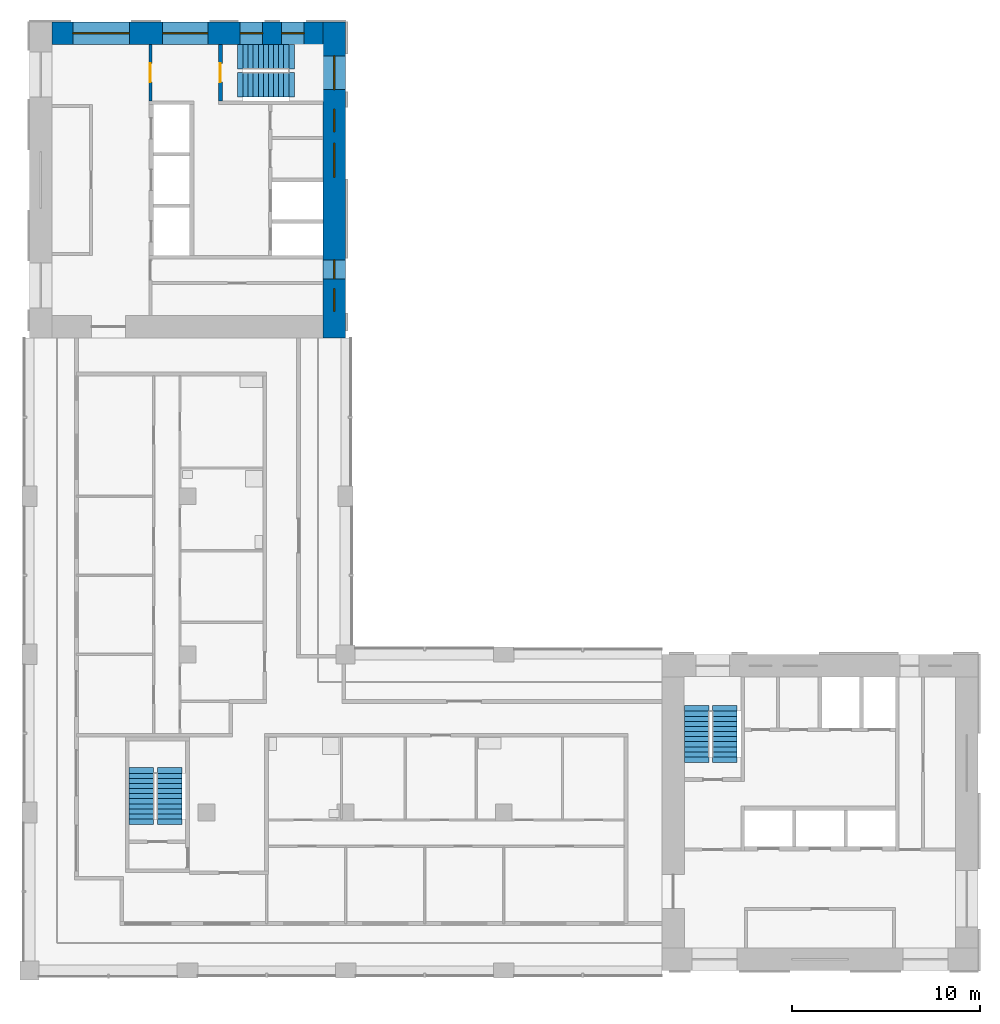
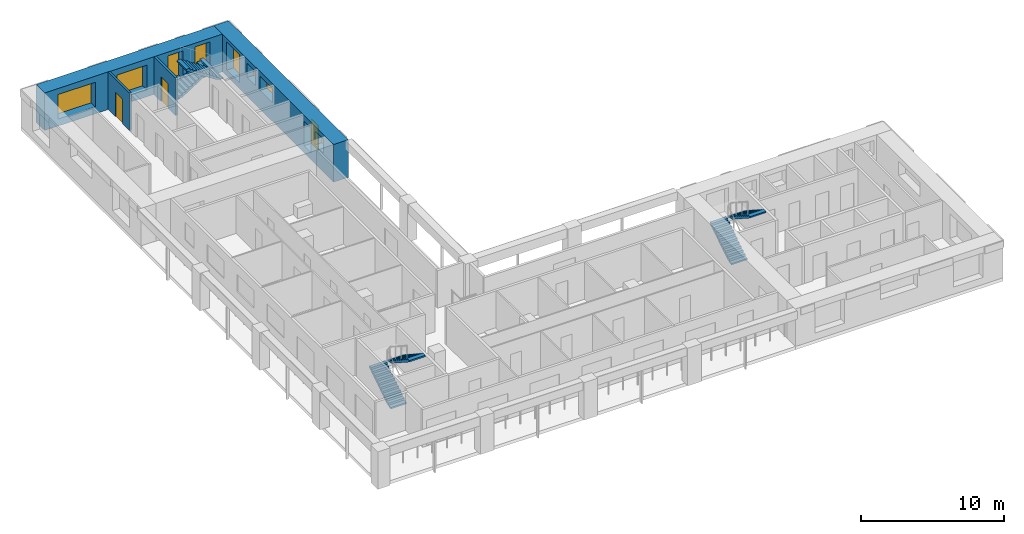
# One storey, part 6 of 9: 9 windows, 6 stair flights, 4 walls, 2 doors, 11 openings, 3 elements without a shape of their own.
"""IFC4 building model written with IfcOpenShell, lengths in metres."""

from ifc_helpers import new_model, si_unit, direction, frame, frame_2d, origin, place, context, subcontext, project, spatial, polyline, rectangle, outline, extrude, material, layer, layer_set, type_object, element, fill, aggregate, save


model = new_model("IFC4")

# Units and contexts
model_context = context("Model", 3, precision=1e-05, world=origin(), true_north=direction((0.0, 1.0)))
body_context = subcontext(model_context, "Body", "Model", "MODEL_VIEW")
ifc_project = project(units=[si_unit("LENGTHUNIT", "METRE"), si_unit("AREAUNIT", "SQUARE_METRE"), si_unit("VOLUMEUNIT", "CUBIC_METRE"), si_unit("PLANEANGLEUNIT", "RADIAN"), si_unit("MASSUNIT", "GRAM", prefix="KILO")], contexts=[model_context])

# Site, building, storey
site_placement = place(None, origin())
site = spatial("IfcSite", under=ifc_project, at=site_placement, CompositionType="ELEMENT")
building_placement = place(site_placement, origin())
building = spatial("IfcBuilding", under=site, at=building_placement, Name="Vermilion Gate Residences", CompositionType="ELEMENT")
storey_placement = place(building_placement, frame((0.0, 0.0, 249.199951171875)))
storey = spatial("IfcBuildingStorey", under=building, at=storey_placement, Name="L65", CompositionType="ELEMENT", Elevation=249.199951171875)

# Wall, opening, door
ifc_material_1 = material(Name="Masonry blockwork", Category="masonry")
ifc_layer_1 = layer(ifc_material_1, 0.14990234375)
ifc_layer_set_1 = layer_set([ifc_layer_1], Name="BLOCKWORK PARTITION 150 EI 120")
wall_type_1 = type_object("IfcWallType", Name="BLOCKWORK PARTITION 150 EI 120", PredefinedType="PARTITIONING", material=ifc_layer_set_1)
wall_1_placement = place(storey_placement, frame((14.824951171875, 57.60009765625, 0.0), z_axis=(0.0, 0.0, 1.0), x_axis=(0.0, -1.0, 0.0)))
wall_1 = element("IfcWall", 1, at=wall_1_placement, inside=storey, type_object=wall_type_1, Name="Core room partition B65-VW-S", PredefinedType="PARTITIONING", context=body_context, shape_type="SweptSolid", body=[
    extrude(rectangle(XDim=3.0, YDim=0.14990234375, at=frame_2d((1.5, 0.0))), origin(), (0.0, 0.0, 1.0), 3.219970703125),
])
opening_1_placement = place(wall_1_placement, frame((1.0, 0.0, 0.0)))
opening_1 = element("IfcOpeningElement", 2, at=opening_1_placement, cuts=wall_1, Name="Opening DK65110", PredefinedType="OPENING", context=body_context, shape_type="SweptSolid", body=[
    extrude(rectangle(XDim=1.0, YDim=2.10009765625, at=frame_2d((0.5, 1.050048828125))), frame((0.0, 0.0849609375, 0.0), z_axis=(0.0, -1.0, 0.0), x_axis=(1.0, 0.0, 0.0)), (0.0, 0.0, 1.0), 0.169921875),
])
ifc_material_2 = material(Name="Steel", Category="steel")
door_type = type_object("IfcDoorType", Name="FIRE DOOR FD60 1000 X 2100", OperationType="SINGLE_SWING_LEFT", PredefinedType="DOOR", material=ifc_material_2)
door_1_placement = place(opening_1_placement, frame((1.0, 0.0, 0.0), z_axis=(0.0, 0.0, 1.0), x_axis=(-1.0, 0.0, 0.0)))
door_1 = element("IfcDoor", 3, at=door_1_placement, inside=storey, type_object=door_type, Name="Stair vestibule door B65", OperationType="SINGLE_SWING_RIGHT", OverallHeight=2.10009765625, OverallWidth=1.0, PredefinedType="DOOR", context=body_context, shape_type="SweptSolid", body=[
    extrude(rectangle(XDim=1.0, YDim=2.10009765625, at=frame_2d((0.5, 1.050048828125))), frame((0.0, 0.02490234375, 0.0), z_axis=(0.0, -1.0, 0.0), x_axis=(1.0, 0.0, 0.0)), (0.0, 0.0, 1.0), 0.050048828125),
])
fill(opening_1, door_1)

ifc_material_3 = material(Name="Concrete C60", Category="concrete")
ifc_layer_2 = layer(ifc_material_3, 0.199951171875)
ifc_layer_set_2 = layer_set([ifc_layer_2], Name="RC CORE INTERNAL WALL 200 C60")
wall_type_2 = type_object("IfcWallType", Name="RC CORE INTERNAL WALL 200 C60", PredefinedType="SHEAR", material=ifc_layer_set_2)
wall_2_placement = place(storey_placement, frame((18.550048828125, 57.60009765625, 0.0), z_axis=(0.0, 0.0, 1.0), x_axis=(0.0, -1.0, 0.0)))
wall_2 = element("IfcWall", 4, at=wall_2_placement, inside=storey, type_object=wall_type_2, Name="Core internal wall B65-STW-S", PredefinedType="SHEAR", context=body_context, shape_type="SweptSolid", body=[
    extrude(rectangle(XDim=3.0, YDim=0.199951171875, at=frame_2d((1.5, 0.0))), origin(), (0.0, 0.0, 1.0), 3.219970703125),
])
opening_2_placement = place(wall_2_placement, frame((1.0, 0.0, 0.0)))
opening_2 = element("IfcOpeningElement", 5, at=opening_2_placement, cuts=wall_2, Name="Opening DK65111", PredefinedType="OPENING", context=body_context, shape_type="SweptSolid", body=[
    extrude(rectangle(XDim=1.0, YDim=2.10009765625, at=frame_2d((0.5, 1.050048828125))), frame((0.0, 0.10986328125, 0.0), z_axis=(0.0, -1.0, 0.0), x_axis=(1.0, 0.0, 0.0)), (0.0, 0.0, 1.0), 0.219970703125),
])
door_2_placement = place(opening_2_placement, origin())
door_2 = element("IfcDoor", 6, at=door_2_placement, inside=storey, type_object=door_type, Name="Stair door B65", OperationType="SINGLE_SWING_LEFT", OverallHeight=2.10009765625, OverallWidth=1.0, PredefinedType="DOOR", context=body_context, shape_type="SweptSolid", body=[
    extrude(rectangle(XDim=1.0, YDim=2.10009765625, at=frame_2d((0.5, 1.050048828125))), frame((0.0, 0.02490234375, 0.0), z_axis=(0.0, -1.0, 0.0), x_axis=(1.0, 0.0, 0.0)), (0.0, 0.0, 1.0), 0.050048828125),
])
fill(opening_2, door_2)

# Wall, openings, windows
ifc_material_4 = material(Name="Concrete C50 red-oxide pigmented", Category="concrete")
ifc_layer_3 = layer(ifc_material_4, 1.199951171875)
ifc_layer_set_3 = layer_set([ifc_layer_3], Name="RC CORE WALL 1200 C50 RED OXIDE")
wall_type_3 = type_object("IfcWallType", Name="RC CORE WALL 1200 C50 RED OXIDE", PredefinedType="SHEAR", material=ifc_layer_set_3)
wall_3_placement = place(storey_placement, frame((24.60009765625, 58.800048828125, 0.0), z_axis=(0.0, 0.0, 1.0), x_axis=(0.0, -1.0, 0.0)))
wall_3 = element("IfcWall", 7, at=wall_3_placement, inside=storey, type_object=wall_type_3, Name="Core wall B65-OUT-B1", PredefinedType="SHEAR", context=body_context, shape_type="SweptSolid", body=[
    extrude(rectangle(XDim=16.800048828125, YDim=1.199951171875, at=frame_2d((8.39990234375, 0.0))), origin(), (0.0, 0.0, 1.0), 3.219970703125),
])
opening_3_placement = place(wall_3_placement, frame((1.800048828125, 0.0, 0.5)))
opening_3 = element("IfcOpeningElement", 8, at=opening_3_placement, cuts=wall_3, Name="Opening WKB6504", PredefinedType="OPENING", context=body_context, shape_type="SweptSolid", body=[
    extrude(rectangle(XDim=1.800048828125, YDim=2.39990234375, at=frame_2d((0.89990234375, 1.199951171875))), frame((0.0, 0.60986328125, 0.0), z_axis=(0.0, -1.0, 0.0), x_axis=(1.0, 0.0, 0.0)), (0.0, 0.0, 1.0), 1.219970703125),
])
opening_4_placement = place(wall_3_placement, frame((4.643798828125, 0.0, 1.60009765625)))
opening_4 = element("IfcOpeningElement", 9, at=opening_4_placement, cuts=wall_3, Name="Opening WKB6505", PredefinedType="OPENING", context=body_context, shape_type="SweptSolid", body=[
    extrude(rectangle(XDim=1.199951171875, YDim=1.199951171875, at=frame_2d((0.60009765625, 0.60009765625))), frame((0.0, 0.60986328125, 0.0), z_axis=(0.0, -1.0, 0.0), x_axis=(1.0, 0.0, 0.0)), (0.0, 0.0, 1.0), 1.219970703125),
])
opening_5_placement = place(wall_3_placement, frame((6.449951171875, 0.0, 1.60009765625)))
opening_5 = element("IfcOpeningElement", 10, at=opening_5_placement, cuts=wall_3, Name="Opening WKB6506", PredefinedType="OPENING", context=body_context, shape_type="SweptSolid", body=[
    extrude(rectangle(XDim=1.800048828125, YDim=1.199951171875, at=frame_2d((0.89990234375, 0.60009765625))), frame((0.0, 0.60986328125, 0.0), z_axis=(0.0, -1.0, 0.0), x_axis=(1.0, 0.0, 0.0)), (0.0, 0.0, 1.0), 1.219970703125),
])
opening_6_placement = place(wall_3_placement, frame((12.64990234375, 0.0, 0.60009765625)))
opening_6 = element("IfcOpeningElement", 11, at=opening_6_placement, cuts=wall_3, Name="Opening WKB6507", PredefinedType="OPENING", context=body_context, shape_type="SweptSolid", body=[
    extrude(rectangle(XDim=1.0, YDim=2.10009765625, at=frame_2d((0.5, 1.050048828125))), frame((0.0, 0.60986328125, 0.0), z_axis=(0.0, -1.0, 0.0), x_axis=(1.0, 0.0, 0.0)), (0.0, 0.0, 1.0), 1.219970703125),
])
opening_7_placement = place(wall_3_placement, frame((14.175048828125, 0.0, 1.60009765625)))
opening_7 = element("IfcOpeningElement", 12, at=opening_7_placement, cuts=wall_3, Name="Opening WKB6508", PredefinedType="OPENING", context=body_context, shape_type="SweptSolid", body=[
    extrude(rectangle(XDim=1.199951171875, YDim=1.199951171875, at=frame_2d((0.60009765625, 0.60009765625))), frame((0.0, 0.60986328125, 0.0), z_axis=(0.0, -1.0, 0.0), x_axis=(1.0, 0.0, 0.0)), (0.0, 0.0, 1.0), 1.219970703125),
])
ifc_material_5 = material(Name="Aluminium and clear glass", Category="aluminium")
window_type_1 = type_object("IfcWindowType", Name="CORE CORRIDOR WINDOW 1000 X 2100", PartitioningType="SINGLE_PANEL", PredefinedType="WINDOW", material=ifc_material_5)
window_1_placement = place(opening_6_placement, origin())
window_1 = element("IfcWindow", 13, at=window_1_placement, inside=storey, type_object=window_type_1, Name="Core corridor window", OverallHeight=2.10009765625, OverallWidth=1.0, PartitioningType="SINGLE_PANEL", PredefinedType="WINDOW", context=body_context, shape_type="SweptSolid", body=[
    extrude(rectangle(XDim=1.0, YDim=2.10009765625, at=frame_2d((0.5, 1.050048828125))), frame((0.0, 0.030029296875, 0.0), z_axis=(0.0, -1.0, 0.0), x_axis=(1.0, 0.0, 0.0)), (0.0, 0.0, 1.0), 0.06005859375),
])
fill(opening_6, window_1)
ifc_material_6 = material(Name="Aluminium frame with louvre blades", Category="aluminium")
window_type_2 = type_object("IfcWindowType", Name="CORE LOUVRE 1200 X 1200", PartitioningType="SINGLE_PANEL", PredefinedType="WINDOW", material=ifc_material_6)
window_2_placement = place(opening_4_placement, origin())
window_2 = element("IfcWindow", 14, at=window_2_placement, inside=storey, type_object=window_type_2, Name="Core louvre", OverallHeight=1.199951171875, OverallWidth=1.199951171875, PartitioningType="SINGLE_PANEL", PredefinedType="WINDOW", context=body_context, shape_type="SweptSolid", body=[
    extrude(rectangle(XDim=1.199951171875, YDim=1.199951171875, at=frame_2d((0.60009765625, 0.60009765625))), frame((0.0, 0.030029296875, 0.0), z_axis=(0.0, -1.0, 0.0), x_axis=(1.0, 0.0, 0.0)), (0.0, 0.0, 1.0), 0.06005859375),
])
fill(opening_4, window_2)
window_3_placement = place(opening_7_placement, origin())
window_3 = element("IfcWindow", 15, at=window_3_placement, inside=storey, type_object=window_type_2, Name="Core louvre", OverallHeight=1.199951171875, OverallWidth=1.199951171875, PartitioningType="SINGLE_PANEL", PredefinedType="WINDOW", context=body_context, shape_type="SweptSolid", body=[
    extrude(rectangle(XDim=1.199951171875, YDim=1.199951171875, at=frame_2d((0.60009765625, 0.60009765625))), frame((0.0, 0.030029296875, 0.0), z_axis=(0.0, -1.0, 0.0), x_axis=(1.0, 0.0, 0.0)), (0.0, 0.0, 1.0), 0.06005859375),
])
fill(opening_7, window_3)
ifc_material_7 = material(Name="Aluminium frame with louvre blades", Category="aluminium")
window_type_3 = type_object("IfcWindowType", Name="CORE LOUVRE 1800 X 1200", PartitioningType="SINGLE_PANEL", PredefinedType="WINDOW", material=ifc_material_7)
window_4_placement = place(opening_5_placement, origin())
window_4 = element("IfcWindow", 16, at=window_4_placement, inside=storey, type_object=window_type_3, Name="Core louvre", OverallHeight=1.199951171875, OverallWidth=1.800048828125, PartitioningType="SINGLE_PANEL", PredefinedType="WINDOW", context=body_context, shape_type="SweptSolid", body=[
    extrude(rectangle(XDim=1.800048828125, YDim=1.199951171875, at=frame_2d((0.89990234375, 0.60009765625))), frame((0.0, 0.030029296875, 0.0), z_axis=(0.0, -1.0, 0.0), x_axis=(1.0, 0.0, 0.0)), (0.0, 0.0, 1.0), 0.06005859375),
])
fill(opening_5, window_4)
ifc_material_8 = material(Name="Aluminium and clear glass", Category="aluminium")
window_type_4 = type_object("IfcWindowType", Name="CORE STAIR WINDOW 1800 X 2400", PartitioningType="SINGLE_PANEL", PredefinedType="WINDOW", material=ifc_material_8)
window_5_placement = place(opening_3_placement, origin())
window_5 = element("IfcWindow", 17, at=window_5_placement, inside=storey, type_object=window_type_4, Name="Core stair window", OverallHeight=2.39990234375, OverallWidth=1.800048828125, PartitioningType="SINGLE_PANEL", PredefinedType="WINDOW", context=body_context, shape_type="SweptSolid", body=[
    extrude(rectangle(XDim=1.800048828125, YDim=2.39990234375, at=frame_2d((0.89990234375, 1.199951171875))), frame((0.0, 0.030029296875, 0.0), z_axis=(0.0, -1.0, 0.0), x_axis=(1.0, 0.0, 0.0)), (0.0, 0.0, 1.0), 0.06005859375),
])
fill(opening_3, window_5)

wall_4_placement = place(storey_placement, frame((9.60009765625, 58.199951171875, 0.0), z_axis=(0.0, 0.0, 1.0), x_axis=(1.0, 0.0, 0.0)))
wall_4 = element("IfcWall", 18, at=wall_4_placement, inside=storey, type_object=wall_type_3, Name="Core wall B65-OUT-FR", PredefinedType="SHEAR", context=body_context, shape_type="SweptSolid", body=[
    extrude(rectangle(XDim=14.39990234375, YDim=1.199951171875, at=frame_2d((7.199951171875, 0.0))), origin(), (0.0, 0.0, 1.0), 3.219970703125),
])
opening_8_placement = place(wall_4_placement, frame((1.10498046875, 0.0, 0.60009765625)))
opening_8 = element("IfcOpeningElement", 19, at=opening_8_placement, cuts=wall_4, Name="Opening WKB6509", PredefinedType="OPENING", context=body_context, shape_type="SweptSolid", body=[
    extrude(rectangle(XDim=3.0, YDim=2.10009765625, at=frame_2d((1.5, 1.050048828125))), frame((0.0, 0.60986328125, 0.0), z_axis=(0.0, -1.0, 0.0), x_axis=(1.0, 0.0, 0.0)), (0.0, 0.0, 1.0), 1.219970703125),
])
opening_9_placement = place(wall_4_placement, frame((5.875, 0.0, 0.60009765625)))
opening_9 = element("IfcOpeningElement", 20, at=opening_9_placement, cuts=wall_4, Name="Opening WKB6510", PredefinedType="OPENING", context=body_context, shape_type="SweptSolid", body=[
    extrude(rectangle(XDim=2.39990234375, YDim=2.10009765625, at=frame_2d((1.199951171875, 1.050048828125))), frame((0.0, 0.60986328125, 0.0), z_axis=(0.0, -1.0, 0.0), x_axis=(1.0, 0.0, 0.0)), (0.0, 0.0, 1.0), 1.219970703125),
])
opening_10_placement = place(wall_4_placement, frame((9.993408203125, 0.0, 0.5)))
opening_10 = element("IfcOpeningElement", 21, at=opening_10_placement, cuts=wall_4, Name="Opening WKB6511", PredefinedType="OPENING", context=body_context, shape_type="SweptSolid", body=[
    extrude(rectangle(XDim=1.199951171875, YDim=2.39990234375, at=frame_2d((0.60009765625, 1.199951171875))), frame((0.0, 0.60986328125, 0.0), z_axis=(0.0, -1.0, 0.0), x_axis=(1.0, 0.0, 0.0)), (0.0, 0.0, 1.0), 1.219970703125),
])
opening_11_placement = place(wall_4_placement, frame((12.19677734375, 0.0, 0.5)))
opening_11 = element("IfcOpeningElement", 22, at=opening_11_placement, cuts=wall_4, Name="Opening WKB6512", PredefinedType="OPENING", context=body_context, shape_type="SweptSolid", body=[
    extrude(rectangle(XDim=1.199951171875, YDim=2.39990234375, at=frame_2d((0.60009765625, 1.199951171875))), frame((0.0, 0.60986328125, 0.0), z_axis=(0.0, -1.0, 0.0), x_axis=(1.0, 0.0, 0.0)), (0.0, 0.0, 1.0), 1.219970703125),
])
ifc_material_9 = material(Name="Aluminium and clear glass", Category="aluminium")
window_type_5 = type_object("IfcWindowType", Name="CORE LOBBY WINDOW 2400 X 2100", PartitioningType="SINGLE_PANEL", PredefinedType="WINDOW", material=ifc_material_9)
window_6_placement = place(opening_9_placement, origin())
window_6 = element("IfcWindow", 23, at=window_6_placement, inside=storey, type_object=window_type_5, Name="Core lobby window", OverallHeight=2.10009765625, OverallWidth=2.39990234375, PartitioningType="SINGLE_PANEL", PredefinedType="WINDOW", context=body_context, shape_type="SweptSolid", body=[
    extrude(rectangle(XDim=2.39990234375, YDim=2.10009765625, at=frame_2d((1.199951171875, 1.050048828125))), frame((0.0, 0.030029296875, 0.0), z_axis=(0.0, -1.0, 0.0), x_axis=(1.0, 0.0, 0.0)), (0.0, 0.0, 1.0), 0.06005859375),
])
fill(opening_9, window_6)
ifc_material_10 = material(Name="Aluminium and clear glass", Category="aluminium")
window_type_6 = type_object("IfcWindowType", Name="CORE LOBBY WINDOW 3000 X 2100", PartitioningType="SINGLE_PANEL", PredefinedType="WINDOW", material=ifc_material_10)
window_7_placement = place(opening_8_placement, origin())
window_7 = element("IfcWindow", 24, at=window_7_placement, inside=storey, type_object=window_type_6, Name="Core lobby window", OverallHeight=2.10009765625, OverallWidth=3.0, PartitioningType="SINGLE_PANEL", PredefinedType="WINDOW", context=body_context, shape_type="SweptSolid", body=[
    extrude(rectangle(XDim=3.0, YDim=2.10009765625, at=frame_2d((1.5, 1.050048828125))), frame((0.0, 0.030029296875, 0.0), z_axis=(0.0, -1.0, 0.0), x_axis=(1.0, 0.0, 0.0)), (0.0, 0.0, 1.0), 0.06005859375),
])
fill(opening_8, window_7)
ifc_material_11 = material(Name="Aluminium and clear glass", Category="aluminium")
window_type_7 = type_object("IfcWindowType", Name="CORE STAIR WINDOW 1200 X 2400", PartitioningType="SINGLE_PANEL", PredefinedType="WINDOW", material=ifc_material_11)
window_8_placement = place(opening_10_placement, origin())
window_8 = element("IfcWindow", 25, at=window_8_placement, inside=storey, type_object=window_type_7, Name="Core stair window", OverallHeight=2.39990234375, OverallWidth=1.199951171875, PartitioningType="SINGLE_PANEL", PredefinedType="WINDOW", context=body_context, shape_type="SweptSolid", body=[
    extrude(rectangle(XDim=1.199951171875, YDim=2.39990234375, at=frame_2d((0.60009765625, 1.199951171875))), frame((0.0, 0.030029296875, 0.0), z_axis=(0.0, -1.0, 0.0), x_axis=(1.0, 0.0, 0.0)), (0.0, 0.0, 1.0), 0.06005859375),
])
fill(opening_10, window_8)
window_9_placement = place(opening_11_placement, origin())
window_9 = element("IfcWindow", 26, at=window_9_placement, inside=storey, type_object=window_type_7, Name="Core stair window", OverallHeight=2.39990234375, OverallWidth=1.199951171875, PartitioningType="SINGLE_PANEL", PredefinedType="WINDOW", context=body_context, shape_type="SweptSolid", body=[
    extrude(rectangle(XDim=1.199951171875, YDim=2.39990234375, at=frame_2d((0.60009765625, 1.199951171875))), frame((0.0, 0.030029296875, 0.0), z_axis=(0.0, -1.0, 0.0), x_axis=(1.0, 0.0, 0.0)), (0.0, 0.0, 1.0), 0.06005859375),
])
fill(opening_11, window_9)

# Stair, stair flights
ifc_material_12 = material(Name="Concrete C50", Category="concrete")
stair_type = type_object("IfcStairType", Name="SPECIAL ESCAPE STAIR 1300", PredefinedType="HALF_TURN_STAIR", material=ifc_material_12)
stair_1_placement = place(storey_placement, origin())
stair_1 = element("IfcStair", 27, at=stair_1_placement, inside=storey, type_object=stair_type, Name="Special escape stair STA1-65", PredefinedType="HALF_TURN_STAIR")
ifc_material_13 = material(Name="Concrete C50", Category="concrete")
stair_flight_type = type_object("IfcStairFlightType", Name="STAIR FLIGHT 1300 RC C50", PredefinedType="STRAIGHT", material=ifc_material_13)
stair_flight_1_placement = place(storey_placement, frame((43.85009765625, 19.75, 0.0), z_axis=(0.0, 0.0, 1.0), x_axis=(0.0, 1.0, 0.0)))
stair_flight_1 = element("IfcStairFlight", 28, at=stair_flight_1_placement, type_object=stair_flight_type, Name="STA1-65 flight 1", NumberOfRisers=10, NumberOfTreads=9, PredefinedType="STRAIGHT", RiserHeight=0.175, TreadLength=0.27, context=body_context, shape_type="SweptSolid", body=[
    extrude(outline(polyline([(-0.300048828125, -0.14990234375), (-0.300048828125, -0.030029296875), (0.0, 0.0), (0.0, 0.175048828125), (0.27001953125, 0.175048828125), (0.27001953125, 0.35009765625), (0.5400390625, 0.35009765625), (0.5400390625, 0.52490234375), (0.81005859375, 0.52490234375), (0.81005859375, 0.699951171875), (1.080078125, 0.699951171875), (1.080078125, 0.875), (1.35009765625, 0.875), (1.35009765625, 1.050048828125), (1.6201171875, 1.050048828125), (1.6201171875, 1.22509765625), (1.889892578125, 1.22509765625), (1.889892578125, 1.39990234375), (2.159912109375, 1.39990234375), (2.159912109375, 1.574951171875), (2.429931640625, 1.574951171875), (2.429931640625, 1.75), (2.72998046875, 1.719970703125), (2.72998046875, 1.60009765625), (2.429931640625, 1.396484375), (0.275634765625, 0.0), (-0.300048828125, -0.14990234375)])), frame((0.0, 0.64990234375, 0.0), z_axis=(0.0, -1.0, 0.0), x_axis=(1.0, 0.0, 0.0)), (0.0, 0.0, 1.0), 1.300048828125),
])
stair_flight_2_placement = place(storey_placement, frame((45.35009765625, 22.179931640625, 1.75), z_axis=(0.0, 0.0, 1.0), x_axis=(0.0, -1.0, 0.0)))
stair_flight_2 = element("IfcStairFlight", 29, at=stair_flight_2_placement, type_object=stair_flight_type, Name="STA1-65 flight 2", NumberOfRisers=10, NumberOfTreads=9, PredefinedType="STRAIGHT", RiserHeight=0.175, TreadLength=0.27, context=body_context, shape_type="SweptSolid", body=[
    extrude(outline(polyline([(-0.300048828125, -0.14990234375), (-0.300048828125, -0.030029296875), (0.0, 0.0), (0.0, 0.175048828125), (0.27001953125, 0.175048828125), (0.27001953125, 0.35009765625), (0.5400390625, 0.35009765625), (0.5400390625, 0.52490234375), (0.81005859375, 0.52490234375), (0.81005859375, 0.699951171875), (1.080078125, 0.699951171875), (1.080078125, 0.875), (1.35009765625, 0.875), (1.35009765625, 1.050048828125), (1.6201171875, 1.050048828125), (1.6201171875, 1.22509765625), (1.889892578125, 1.22509765625), (1.889892578125, 1.39990234375), (2.159912109375, 1.39990234375), (2.159912109375, 1.574951171875), (2.429931640625, 1.574951171875), (2.429931640625, 1.75), (2.72998046875, 1.719970703125), (2.72998046875, 1.60009765625), (2.429931640625, 1.396484375), (0.275634765625, 0.0), (-0.300048828125, -0.14990234375)])), frame((0.0, 0.64990234375, 0.0), z_axis=(0.0, -1.0, 0.0), x_axis=(1.0, 0.0, 0.0)), (0.0, 0.0, 1.0), 1.300048828125),
])
aggregate(stair_1, [stair_flight_1, stair_flight_2])

stair_2_placement = place(storey_placement, origin())
stair_2 = element("IfcStair", 30, at=stair_2_placement, inside=storey, type_object=stair_type, Name="Special escape stair STB1-65", PredefinedType="HALF_TURN_STAIR")
stair_flight_3_placement = place(storey_placement, frame((19.75, 56.949951171875, 0.0), z_axis=(0.0, 0.0, 1.0), x_axis=(1.0, 0.0, 0.0)))
stair_flight_3 = element("IfcStairFlight", 31, at=stair_flight_3_placement, type_object=stair_flight_type, Name="STB1-65 flight 1", NumberOfRisers=10, NumberOfTreads=9, PredefinedType="STRAIGHT", RiserHeight=0.175, TreadLength=0.27, context=body_context, shape_type="SweptSolid", body=[
    extrude(outline(polyline([(-0.300048828125, -0.14990234375), (-0.300048828125, -0.030029296875), (0.0, 0.0), (0.0, 0.175048828125), (0.27001953125, 0.175048828125), (0.27001953125, 0.35009765625), (0.5400390625, 0.35009765625), (0.5400390625, 0.52490234375), (0.81005859375, 0.52490234375), (0.81005859375, 0.699951171875), (1.080078125, 0.699951171875), (1.080078125, 0.875), (1.35009765625, 0.875), (1.35009765625, 1.050048828125), (1.6201171875, 1.050048828125), (1.6201171875, 1.22509765625), (1.889892578125, 1.22509765625), (1.889892578125, 1.39990234375), (2.159912109375, 1.39990234375), (2.159912109375, 1.574951171875), (2.429931640625, 1.574951171875), (2.429931640625, 1.75), (2.72998046875, 1.719970703125), (2.72998046875, 1.60009765625), (2.429931640625, 1.396484375), (0.275634765625, 0.0), (-0.300048828125, -0.14990234375)])), frame((0.0, 0.64990234375, 0.0), z_axis=(0.0, -1.0, 0.0), x_axis=(1.0, 0.0, 0.0)), (0.0, 0.0, 1.0), 1.300048828125),
])
stair_flight_4_placement = place(storey_placement, frame((22.179931640625, 55.449951171875, 1.75), z_axis=(0.0, 0.0, 1.0), x_axis=(-1.0, 0.0, 0.0)))
stair_flight_4 = element("IfcStairFlight", 32, at=stair_flight_4_placement, type_object=stair_flight_type, Name="STB1-65 flight 2", NumberOfRisers=10, NumberOfTreads=9, PredefinedType="STRAIGHT", RiserHeight=0.175, TreadLength=0.27, context=body_context, shape_type="SweptSolid", body=[
    extrude(outline(polyline([(-0.300048828125, -0.14990234375), (-0.300048828125, -0.030029296875), (0.0, 0.0), (0.0, 0.175048828125), (0.27001953125, 0.175048828125), (0.27001953125, 0.35009765625), (0.5400390625, 0.35009765625), (0.5400390625, 0.52490234375), (0.81005859375, 0.52490234375), (0.81005859375, 0.699951171875), (1.080078125, 0.699951171875), (1.080078125, 0.875), (1.35009765625, 0.875), (1.35009765625, 1.050048828125), (1.6201171875, 1.050048828125), (1.6201171875, 1.22509765625), (1.889892578125, 1.22509765625), (1.889892578125, 1.39990234375), (2.159912109375, 1.39990234375), (2.159912109375, 1.574951171875), (2.429931640625, 1.574951171875), (2.429931640625, 1.75), (2.72998046875, 1.719970703125), (2.72998046875, 1.60009765625), (2.429931640625, 1.396484375), (0.275634765625, 0.0), (-0.300048828125, -0.14990234375)])), frame((0.0, 0.64990234375, 0.0), z_axis=(0.0, -1.0, 0.0), x_axis=(1.0, 0.0, 0.0)), (0.0, 0.0, 1.0), 1.300048828125),
])
aggregate(stair_2, [stair_flight_3, stair_flight_4])

stair_3_placement = place(storey_placement, origin())
stair_3 = element("IfcStair", 33, at=stair_3_placement, inside=storey, type_object=stair_type, Name="Special escape stair STC1-65", PredefinedType="HALF_TURN_STAIR")
stair_flight_5_placement = place(storey_placement, frame((14.35009765625, 16.449951171875, 0.0), z_axis=(0.0, 0.0, 1.0), x_axis=(0.0, 1.0, 0.0)))
stair_flight_5 = element("IfcStairFlight", 34, at=stair_flight_5_placement, type_object=stair_flight_type, Name="STC1-65 flight 1", NumberOfRisers=10, NumberOfTreads=9, PredefinedType="STRAIGHT", RiserHeight=0.175, TreadLength=0.27, context=body_context, shape_type="SweptSolid", body=[
    extrude(outline(polyline([(-0.300048828125, -0.14990234375), (-0.300048828125, -0.030029296875), (0.0, 0.0), (0.0, 0.175048828125), (0.27001953125, 0.175048828125), (0.27001953125, 0.35009765625), (0.5400390625, 0.35009765625), (0.5400390625, 0.52490234375), (0.81005859375, 0.52490234375), (0.81005859375, 0.699951171875), (1.080078125, 0.699951171875), (1.080078125, 0.875), (1.35009765625, 0.875), (1.35009765625, 1.050048828125), (1.6201171875, 1.050048828125), (1.6201171875, 1.22509765625), (1.889892578125, 1.22509765625), (1.889892578125, 1.39990234375), (2.159912109375, 1.39990234375), (2.159912109375, 1.574951171875), (2.429931640625, 1.574951171875), (2.429931640625, 1.75), (2.72998046875, 1.719970703125), (2.72998046875, 1.60009765625), (2.429931640625, 1.396484375), (0.275634765625, 0.0), (-0.300048828125, -0.14990234375)])), frame((0.0, 0.64990234375, 0.0), z_axis=(0.0, -1.0, 0.0), x_axis=(1.0, 0.0, 0.0)), (0.0, 0.0, 1.0), 1.300048828125),
])
stair_flight_6_placement = place(storey_placement, frame((15.85009765625, 18.8798828125, 1.75), z_axis=(0.0, 0.0, 1.0), x_axis=(0.0, -1.0, 0.0)))
stair_flight_6 = element("IfcStairFlight", 35, at=stair_flight_6_placement, type_object=stair_flight_type, Name="STC1-65 flight 2", NumberOfRisers=10, NumberOfTreads=9, PredefinedType="STRAIGHT", RiserHeight=0.175, TreadLength=0.27, context=body_context, shape_type="SweptSolid", body=[
    extrude(outline(polyline([(-0.300048828125, -0.14990234375), (-0.300048828125, -0.030029296875), (0.0, 0.0), (0.0, 0.175048828125), (0.27001953125, 0.175048828125), (0.27001953125, 0.35009765625), (0.5400390625, 0.35009765625), (0.5400390625, 0.52490234375), (0.81005859375, 0.52490234375), (0.81005859375, 0.699951171875), (1.080078125, 0.699951171875), (1.080078125, 0.875), (1.35009765625, 0.875), (1.35009765625, 1.050048828125), (1.6201171875, 1.050048828125), (1.6201171875, 1.22509765625), (1.889892578125, 1.22509765625), (1.889892578125, 1.39990234375), (2.159912109375, 1.39990234375), (2.159912109375, 1.574951171875), (2.429931640625, 1.574951171875), (2.429931640625, 1.75), (2.72998046875, 1.719970703125), (2.72998046875, 1.60009765625), (2.429931640625, 1.396484375), (0.275634765625, 0.0), (-0.300048828125, -0.14990234375)])), frame((0.0, 0.64990234375, 0.0), z_axis=(0.0, -1.0, 0.0), x_axis=(1.0, 0.0, 0.0)), (0.0, 0.0, 1.0), 1.300048828125),
])
aggregate(stair_3, [stair_flight_5, stair_flight_6])

save(model, "model.ifc")
